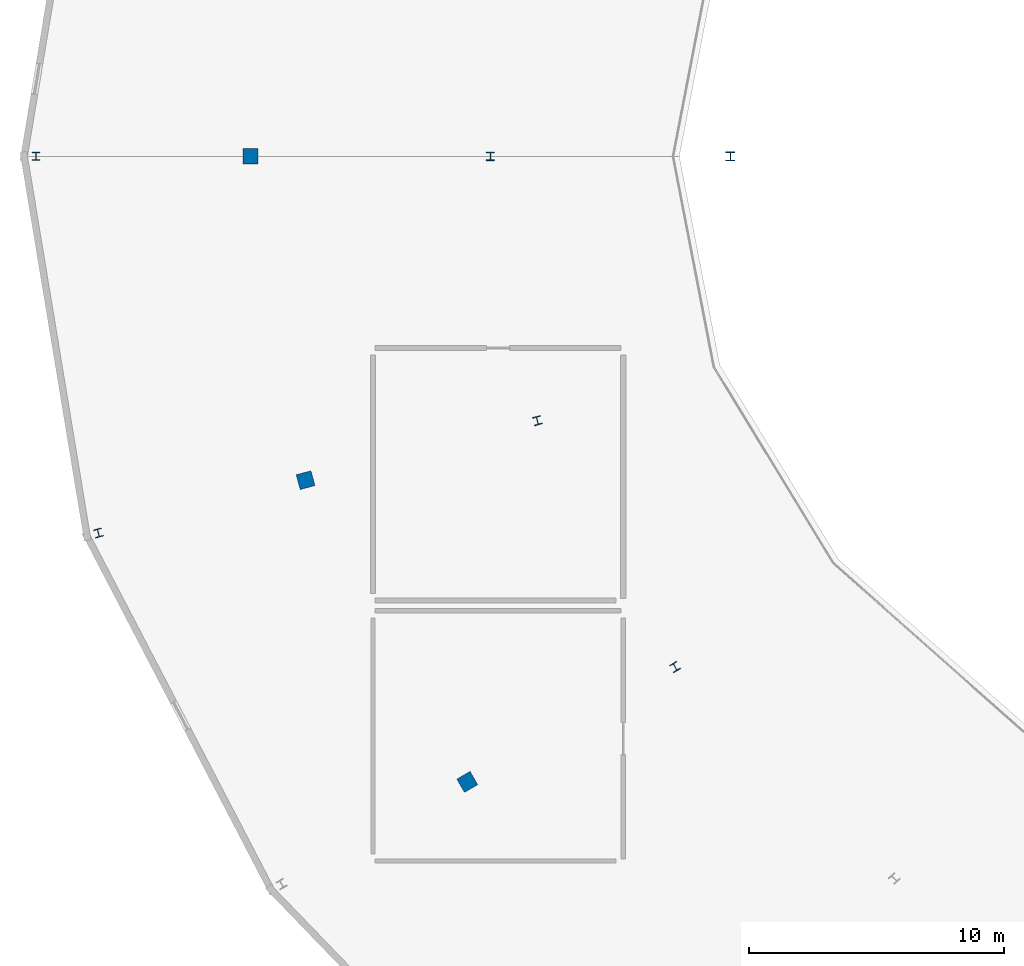
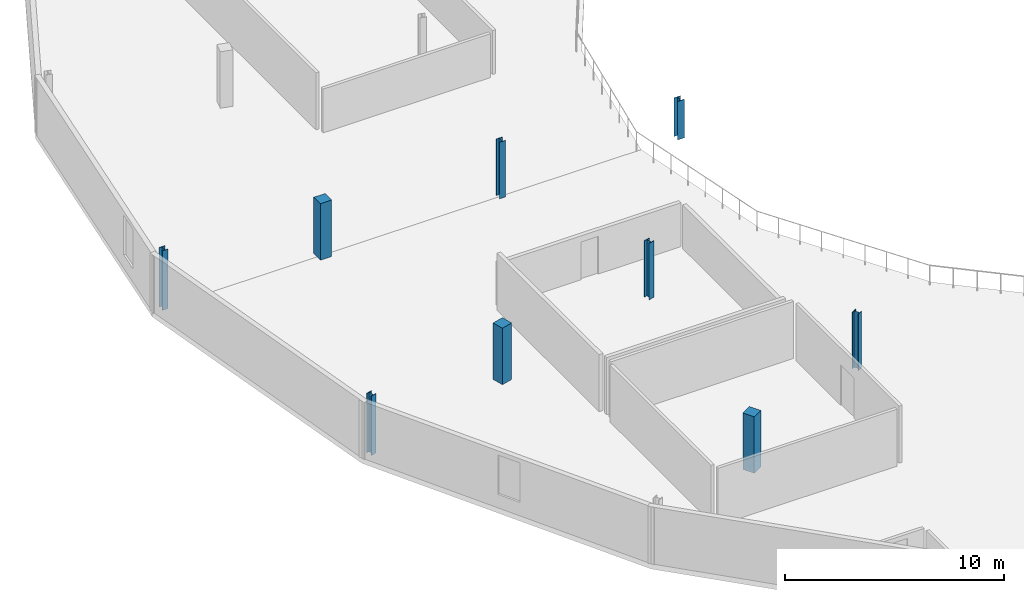
# One storey, part 3 of 35: 9 columns.
"""IFC4 building model written with IfcOpenShell, lengths in metres."""

import ifcopenshell
import ifcopenshell.guid

model = None  # the IFC model being written
_history = None  # IfcOwnerHistory: only IFC2X3 demands one
_inside = {}  # id of a spatial element -> (the spatial element, [elements in it])
_under = {}  # id of a project, library or spatial element -> (it, [spatial elements below it])
_declared = {}  # id of a project -> (the project, [libraries it declares])
_typed = {}  # id of a type object -> (the type object, [elements of that type])
_made_of = {}  # id of a material, layer set ... -> (it, [elements and type objects made of it])


def new_model(schema):
    """Start an empty IFC model of exactly this schema.

    Asked for "IFC4X3", IfcOpenShell would pick the latest addendum, in which some entities
    have other attributes; the version numbers below select the first issue.
    IFC2X3 requires an IfcOwnerHistory on every rooted entity: one is made here for all.
    """
    global model, _history
    if schema == "IFC4X3":
        model = ifcopenshell.file(schema_version=(4, 3, 0, 0))
    else:
        model = ifcopenshell.file(schema=schema)
    _inside.clear()
    _under.clear()
    _declared.clear()
    _typed.clear()
    _made_of.clear()
    _history = None
    if model.schema == "IFC2X3":
        org = make("IfcOrganization", Name="unknown")
        user = make(
            "IfcPersonAndOrganization",
            ThePerson=make("IfcPerson", FamilyName="unknown"),
            TheOrganization=org,
        )
        app = make(
            "IfcApplication",
            ApplicationDeveloper=org,
            Version="unknown",
            ApplicationFullName="unknown",
            ApplicationIdentifier="unknown",
        )
        _history = make(
            "IfcOwnerHistory",
            OwningUser=user,
            OwningApplication=app,
            ChangeAction="ADDED",
            CreationDate=0,
        )
    return model


def make(cls, **values):
    """One entity of the class cls with the attributes given. An attribute that is None is left unset."""
    return model.create_entity(
        cls, **{name: value for name, value in values.items() if value is not None}
    )


def rooted(cls, **values):
    """An entity with a GlobalId (a new one), such as an element, a storey or a relation."""
    return make(cls, GlobalId=ifcopenshell.guid.new(), OwnerHistory=_history, **values)


def si_unit(unit_type, name, prefix=None):
    """IfcSIUnit, for example si_unit("LENGTHUNIT", "METRE", prefix="MILLI")."""
    return make("IfcSIUnit", UnitType=unit_type, Prefix=prefix, Name=name)


def assignment(units):
    """IfcUnitAssignment: the units of a project."""
    return None if units is None else make("IfcUnitAssignment", Units=units)


def point(xyz):
    """IfcCartesianPoint."""
    return None if xyz is None else make("IfcCartesianPoint", Coordinates=xyz)


def direction(xyz):
    """IfcDirection."""
    return None if xyz is None else make("IfcDirection", DirectionRatios=xyz)


def frame(location, z_axis=None, x_axis=None):
    """IfcAxis2Placement3D, a coordinate frame: its origin and axes. An axis left out is left unset."""
    return make(
        "IfcAxis2Placement3D",
        Location=point(location),
        Axis=direction(z_axis),
        RefDirection=direction(x_axis),
    )


def frame_2d(location, x_axis=None):
    """IfcAxis2Placement2D, a coordinate frame in the plane: its origin and x axis."""
    return make(
        "IfcAxis2Placement2D", Location=point(location), RefDirection=direction(x_axis)
    )


def origin():
    """The frame at (0, 0, 0) with its axes left unset."""
    return frame((0.0, 0.0, 0.0))


def origin_2d():
    """The frame at (0, 0) in the plane with its x axis left unset."""
    return frame_2d((0.0, 0.0))


def place(relative_to, where):
    """IfcLocalPlacement: puts the frame where relative to a parent placement (None: the world)."""
    return make(
        "IfcLocalPlacement", PlacementRelTo=relative_to, RelativePlacement=where
    )


def context(
    kind, dimensions, precision=None, world=None, true_north=None, identifier=None
):
    """IfcGeometricRepresentationContext, for example the 3D "Model" context."""
    return make(
        "IfcGeometricRepresentationContext",
        ContextIdentifier=identifier,
        ContextType=kind,
        CoordinateSpaceDimension=dimensions,
        Precision=precision,
        WorldCoordinateSystem=world,
        TrueNorth=true_north,
    )


def subcontext(parent, identifier, kind, view, scale=None):
    """IfcGeometricRepresentationSubContext, for example "Body" below "Model"."""
    return make(
        "IfcGeometricRepresentationSubContext",
        ContextIdentifier=identifier,
        ContextType=kind,
        ParentContext=parent,
        TargetScale=scale,
        TargetView=view,
    )


def project(units=None, contexts=None):
    """IfcProject with its units and contexts."""
    return rooted(
        "IfcProject",
        Name="project",
        RepresentationContexts=contexts,
        UnitsInContext=assignment(units),
    )


def spatial(cls, under=None, at=None, **own):
    """A site, building, storey or space (cls), placed at a placement, below another one or the project."""
    s = rooted(cls, ObjectPlacement=at, **own)
    if under is not None:
        _under.setdefault(under.id(), (under, []))[1].append(s)
    return s


def profile(cls, at=None, kind="AREA", **sizes):
    """A parametric profile (cls). Its sizes go by their IFC names, for example OverallWidth=200.0."""
    return make(cls, ProfileType=kind, Position=at, **sizes)


def rectangle(**sizes):
    """IfcRectangleProfileDef."""
    return profile("IfcRectangleProfileDef", **sizes)


def i_section(**sizes):
    """IfcIShapeProfileDef."""
    return profile("IfcIShapeProfileDef", **sizes)


def extrude(swept, where, along, depth):
    """IfcExtrudedAreaSolid: the profile swept, set in the frame where, extruded along a direction by depth."""
    return make(
        "IfcExtrudedAreaSolid",
        SweptArea=swept,
        Position=where,
        ExtrudedDirection=direction(along),
        Depth=depth,
    )


def shape(context_of_items, identifier, shape_type, items):
    """IfcShapeRepresentation: the items that make up one representation, for example the "Body"."""
    return make(
        "IfcShapeRepresentation",
        ContextOfItems=context_of_items,
        RepresentationIdentifier=identifier,
        RepresentationType=shape_type,
        Items=items,
    )


def material(Name=None, Category=None):
    """IfcMaterial."""
    return make("IfcMaterial", Name=Name, Category=Category)


def material_profile(
    of_material, cross_section, Name=None, Category=None, Priority=None
):
    """IfcMaterialProfile: a cross section and its material."""
    return make(
        "IfcMaterialProfile",
        Name=Name,
        Material=of_material,
        Profile=cross_section,
        Priority=Priority,
        Category=Category,
    )


def profile_set(profiles, Name=None, composite=None):
    """IfcMaterialProfileSet."""
    return make(
        "IfcMaterialProfileSet",
        Name=Name,
        MaterialProfiles=profiles,
        CompositeProfile=composite,
    )


def made_of(thing, what):
    """Note that an element or type object is made of a material, layer set ...; save() writes the relation."""
    if what is not None:
        _made_of.setdefault(what.id(), (what, []))[1].append(thing)
    return thing


def type_object(cls, material=None, **own):
    """A type object (cls), such as IfcWallType, which elements share."""
    return made_of(rooted(cls, **own), material)


def element(
    cls,
    number,
    at=None,
    inside=None,
    cuts=None,
    type_object=None,
    material=None,
    context=None,
    identifier="Body",
    shape_type=None,
    held_by="IfcProductDefinitionShape",
    body=None,
    shapes=None,
    **own,
):
    """One element of the class cls, such as IfcWall. Its Tag is "e" and its number.

    at: its placement. inside: the storey or other place that contains it. cuts: it is an
    opening in that element (IfcRelVoidsElement). A single representation is given by context,
    identifier, shape_type and body (its items); several are given by shapes. held_by: the class
    of the entity that holds the representations. save() writes the other relations.
    """
    e = rooted(cls, Tag="e%d" % number, ObjectPlacement=at, **own)
    if body is not None:
        shapes = [shape(context, identifier, shape_type, body)]
    if shapes is not None:
        e.Representation = make(held_by, Representations=shapes)
    if inside is not None:
        _inside.setdefault(inside.id(), (inside, []))[1].append(e)
    if cuts is not None:
        rooted(
            "IfcRelVoidsElement", RelatingBuildingElement=cuts, RelatedOpeningElement=e
        )
    if type_object is not None:
        _typed.setdefault(type_object.id(), (type_object, []))[1].append(e)
    return made_of(e, material)


def aggregate(whole, parts):
    """IfcRelAggregates: a whole, such as a stair, and the parts it consists of."""
    return rooted("IfcRelAggregates", RelatingObject=whole, RelatedObjects=parts)


def save(model, path):
    """Write the relations noted so far, then the file.

    IfcRelAggregates (storeys below a building ...), IfcRelContainedInSpatialStructure (elements
    in a storey), IfcRelDefinesByType, IfcRelAssociatesMaterial and IfcRelDeclares: one each for
    every whole, place, type object, material and project.
    """
    for whole, parts in _under.values():
        aggregate(whole, parts)
    for where, things in _inside.values():
        rooted(
            "IfcRelContainedInSpatialStructure",
            RelatedElements=things,
            RelatingStructure=where,
        )
    for kind, things in _typed.values():
        rooted("IfcRelDefinesByType", RelatedObjects=things, RelatingType=kind)
    for what, things in _made_of.values():
        rooted("IfcRelAssociatesMaterial", RelatedObjects=things, RelatingMaterial=what)
    for by, libraries in _declared.values():
        rooted("IfcRelDeclares", RelatingContext=by, RelatedDefinitions=libraries)
    model.write(path)


model = new_model("IFC4")

# Units and contexts
model_context = context("Model", 3, precision=1e-05, world=origin(), true_north=direction((0.0, 1.0)))
body_context = subcontext(model_context, "Body", "Model", "MODEL_VIEW")
ifc_project = project(units=[si_unit("LENGTHUNIT", "METRE"), si_unit("AREAUNIT", "SQUARE_METRE"), si_unit("VOLUMEUNIT", "CUBIC_METRE"), si_unit("PLANEANGLEUNIT", "RADIAN"), si_unit("MASSUNIT", "GRAM", prefix="KILO")], contexts=[model_context])

# Site, building, storey
site_placement = place(None, origin())
site = spatial("IfcSite", under=ifc_project, at=site_placement, CompositionType="ELEMENT")
building_placement = place(site_placement, origin())
building = spatial("IfcBuilding", under=site, at=building_placement, Name="Kalgoora Escarpment Arena", CompositionType="ELEMENT")
storey_placement = place(building_placement, frame((0.0, 0.0, 23.39990234375)))
storey = spatial("IfcBuildingStorey", under=building, at=storey_placement, Name="L05", CompositionType="ELEMENT", Elevation=23.39990234375)

# Columns
ifc_material_1 = material(Name="Structural steel AS/NZS 3679 (300 MPa)", Category="steel")
ifc_material_profile_1 = material_profile(ifc_material_1, i_section(OverallWidth=0.30908203125, OverallDepth=0.321044921875, WebThickness=0.013916015625, FlangeThickness=0.021728515625, at=origin_2d()))
ifc_profile_set_1 = profile_set([ifc_material_profile_1], Name="Structural steel AS/NZS 3679 (300 MPa)")
column_type_1 = type_object("IfcColumnType", Name="COL-COL-310UC137", PredefinedType="COLUMN", material=ifc_profile_set_1)
for number, where, z_axis, x_axis, name in (
    (1, (20.60009765625, 64.0, 0.0), (0.0, 0.0, 1.0), (-1.0, 0.0, 0.0), "L05 structural column COL-RCONC2-R13"),
    (2, (23.04638671875, 49.247314453125, 0.0), (0.0, 0.0, 1.0), (-0.965925826289, -0.258819045103, 0.0), "L05 structural column COL-RCONC2-R14"),
):
    element("IfcColumn", number, at=place(storey_placement, frame(where, z_axis=z_axis, x_axis=x_axis)), inside=storey, type_object=column_type_1, Name=name, PredefinedType="COLUMN", context=body_context, shape_type="SweptSolid", body=[
        extrude(i_section(OverallWidth=0.30908203125, OverallDepth=0.321044921875, WebThickness=0.013916015625, FlangeThickness=0.021728515625, at=origin_2d()), origin(), (0.0, 0.0, 1.0), 3.320068359375),
    ])
ifc_material_2 = material(Name="Structural steel AS/NZS 3679 (300 MPa)", Category="steel")
ifc_material_profile_2 = material_profile(ifc_material_2, i_section(OverallWidth=0.31103515625, OverallDepth=0.326904296875, WebThickness=0.015625, FlangeThickness=0.02490234375, at=origin_2d()))
ifc_profile_set_2 = profile_set([ifc_material_profile_2], Name="Structural steel AS/NZS 3679 (300 MPa)")
column_type_2 = type_object("IfcColumnType", Name="COL-COL-310UC158", PredefinedType="COLUMN", material=ifc_profile_set_2)
for number, where, z_axis, x_axis, name in (
    (3, (38.39990234375, 64.0, 0.0), (0.0, 0.0, 1.0), (-1.0, 0.0, 0.0), "L05 structural column COL-RMAIN-R13"),
    (4, (40.239990234375, 53.647216796875, 0.0), (0.0, 0.0, 1.0), (-0.965925826289, -0.258819045103, 0.0), "L05 structural column COL-RMAIN-R14"),
    (5, (45.634521484375, 44.0, 0.0), (0.0, 0.0, 1.0), (-0.866025403784, -0.5, 0.0), "L05 structural column COL-RMAIN-R15"),
):
    element("IfcColumn", number, at=place(storey_placement, frame(where, z_axis=z_axis, x_axis=x_axis)), inside=storey, type_object=column_type_2, Name=name, PredefinedType="COLUMN", context=body_context, shape_type="SweptSolid", body=[
        extrude(i_section(OverallWidth=0.31103515625, OverallDepth=0.326904296875, WebThickness=0.015625, FlangeThickness=0.02490234375, at=origin_2d()), origin(), (0.0, 0.0, 1.0), 3.150146484375),
    ])
ifc_material_3 = material(Name="Structural steel Grade 350 (350 MPa)", Category="steel")
ifc_material_profile_3 = material_profile(ifc_material_3, i_section(OverallWidth=0.35009765625, OverallDepth=0.35009765625, WebThickness=0.013916015625, FlangeThickness=0.02392578125, at=origin_2d()))
ifc_profile_set_3 = profile_set([ifc_material_profile_3], Name="Structural steel Grade 350 (350 MPa)")
column_type_3 = type_object("IfcColumnType", Name="COL-COL-350WC197", PredefinedType="COLUMN", material=ifc_profile_set_3)
column_placement = place(storey_placement, frame((47.800048828125, 64.0, 0.0), z_axis=(0.0, 0.0, 1.0), x_axis=(-1.0, 0.0, 0.0)))
element("IfcColumn", 6, at=column_placement, inside=storey, type_object=column_type_3, Name="L05 structural column COL-TSPINE-S05", PredefinedType="COLUMN", context=body_context, shape_type="SweptSolid", body=[
    extrude(i_section(OverallWidth=0.35009765625, OverallDepth=0.35009765625, WebThickness=0.013916015625, FlangeThickness=0.02392578125, at=origin_2d()), origin(), (0.0, 0.0, 1.0), 2.150146484375),
])
ifc_material_4 = material(Name="Concrete N50 (fc' 50 MPa)", Category="concrete")
ifc_material_profile_4 = material_profile(ifc_material_4, rectangle(XDim=0.60009765625, YDim=0.60009765625, at=origin_2d()))
ifc_profile_set_4 = profile_set([ifc_material_profile_4], Name="Concrete N50 (fc' 50 MPa)")
column_type_4 = type_object("IfcColumnType", Name="COL-COL-RC600x600", PredefinedType="COLUMN", material=ifc_profile_set_4)
for number, where, z_axis, x_axis, name in (
    (7, (29.0, 64.0, 0.0), (0.0, 0.0, 1.0), (-1.0, 0.0, 0.0), "L05 structural column COL-RCONC1-R13"),
    (8, (31.160400390625, 51.31787109375, 0.0), (0.0, 0.0, 1.0), (-0.965925826289, -0.258819045103, 0.0), "L05 structural column COL-RCONC1-R14"),
    (9, (37.493896484375, 39.5, 0.0), (0.0, 0.0, 1.0), (-0.866025403784, -0.5, 0.0), "L05 structural column COL-RCONC1-R15"),
):
    element("IfcColumn", number, at=place(storey_placement, frame(where, z_axis=z_axis, x_axis=x_axis)), inside=storey, type_object=column_type_4, Name=name, PredefinedType="COLUMN", context=body_context, shape_type="SweptSolid", body=[
        extrude(rectangle(XDim=0.60009765625, YDim=0.60009765625, at=origin_2d()), origin(), (0.0, 0.0, 1.0), 3.150146484375),
    ])

save(model, "model.ifc")
